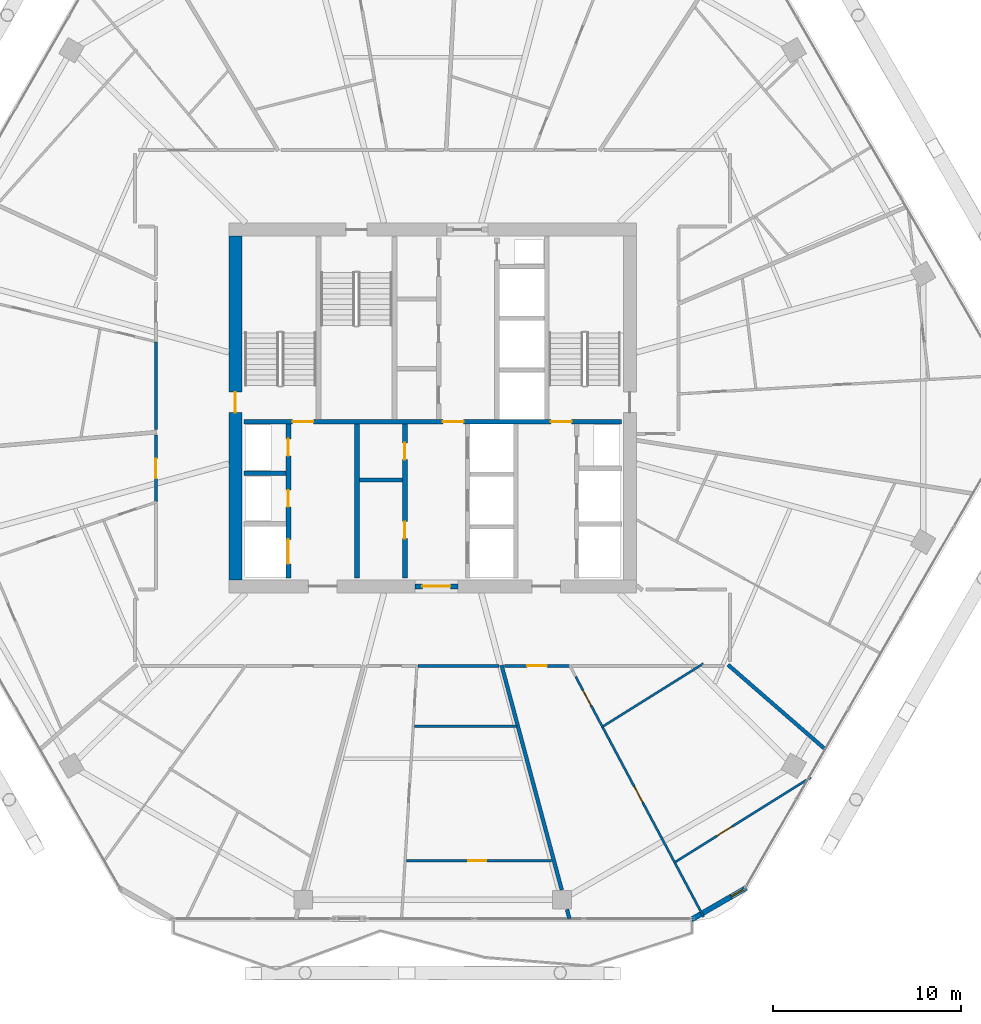
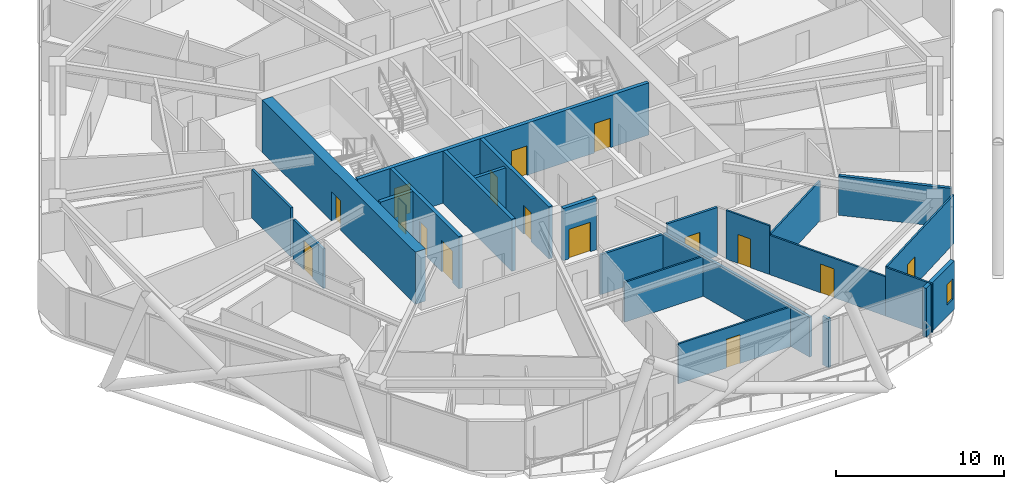
# One storey, part 22 of 29: 23 walls, 16 doors, 1 window, 17 openings.
"""IFC4 building model written with IfcOpenShell, lengths in metres."""

from ifc_helpers import new_model, si_unit, direction, frame, frame_2d, origin, place, context, subcontext, project, spatial, rectangle, extrude, material, layer, layer_set, type_object, element, fill, save


model = new_model("IFC4")

# Units and contexts
model_context = context("Model", 3, precision=1e-05, world=origin(), true_north=direction((0.0, 1.0)))
body_context = subcontext(model_context, "Body", "Model", "MODEL_VIEW")
ifc_project = project(units=[si_unit("LENGTHUNIT", "METRE"), si_unit("AREAUNIT", "SQUARE_METRE"), si_unit("VOLUMEUNIT", "CUBIC_METRE"), si_unit("PLANEANGLEUNIT", "RADIAN"), si_unit("MASSUNIT", "GRAM", prefix="KILO")], contexts=[model_context])

# Site, building, storey
site_placement = place(None, origin())
site = spatial("IfcSite", under=ifc_project, at=site_placement, CompositionType="ELEMENT")
building_placement = place(site_placement, origin())
building = spatial("IfcBuilding", under=site, at=building_placement, Name="Zuhravey Tower", CompositionType="ELEMENT")
storey_placement = place(building_placement, frame((0.0, 0.0, 161.800048828125)))
storey = spatial("IfcBuildingStorey", under=building, at=storey_placement, Name="L40", CompositionType="ELEMENT", Elevation=161.800048828125)

# Wall, opening, door
ifc_material_1 = material(Name="Concrete C60/75", Category="concrete")
ifc_layer_1 = layer(ifc_material_1, 0.699951171875)
ifc_layer_set_1 = layer_set([ifc_layer_1], Name="Concrete C60/75")
wall_type_1 = type_object("IfcWallType", Name="Core Shear Wall 700", PredefinedType="SHEAR", material=ifc_layer_set_1)
wall_1_placement = place(storey_placement, frame((25.5, 22.85009765625, 0.0), z_axis=(0.0, 0.0, 1.0), x_axis=(0.0, 1.0, 0.0)))
wall_1 = element("IfcWall", 1, at=wall_1_placement, inside=storey, type_object=wall_type_1, Name="L40 West Core Shear Wall CW70", PredefinedType="SHEAR", context=body_context, shape_type="SweptSolid", body=[
    extrude(rectangle(XDim=18.2998046875, YDim=0.699951171875, at=frame_2d((9.14990234375, 0.0))), origin(), (0.0, 0.0, 1.0), 3.800048828125),
])
opening_1_placement = place(wall_1_placement, frame((8.89990234375, 0.0, 0.0)))
opening_1 = element("IfcOpeningElement", 2, at=opening_1_placement, cuts=wall_1, Name="Opening STD1", PredefinedType="OPENING", context=body_context, shape_type="SweptSolid", body=[
    extrude(rectangle(XDim=1.10009765625, YDim=2.14990234375, at=frame_2d((0.550048828125, 1.074951171875))), frame((0.0, 0.362060546875, 0.0), z_axis=(0.0, -1.0, 0.0), x_axis=(1.0, 0.0, 0.0)), (0.0, 0.0, 1.0), 0.723876953125),
])
ifc_material_2 = material(Name="Galvanised fire-rated steel leaf", Category="steel")
door_type_1 = type_object("IfcDoorType", Name="Protected Stair Fire Door 1100x2150", OperationType="NOTDEFINED", PredefinedType="USERDEFINED", material=ifc_material_2)
door_1_placement = place(opening_1_placement, frame((1.10009765625, 0.0, 0.0), z_axis=(0.0, 0.0, 1.0), x_axis=(-1.0, 0.0, 0.0)))
door_1 = element("IfcDoor", 3, at=door_1_placement, inside=storey, type_object=door_type_1, Name="L40 Stair ST1 Door", ObjectType="EXITDOOR", OperationType="SINGLE_SWING_RIGHT", OverallHeight=2.14990234375, OverallWidth=1.10009765625, PredefinedType="USERDEFINED", context=body_context, shape_type="SweptSolid", body=[
    extrude(rectangle(XDim=1.10009765625, YDim=2.14990234375, at=frame_2d((0.550048828125, 1.074951171875))), frame((0.0, 0.02490234375, 0.0), z_axis=(0.0, -1.0, 0.0), x_axis=(1.0, 0.0, 0.0)), (0.0, 0.0, 1.0), 0.050048828125),
])
fill(opening_1, door_1)

ifc_material_3 = material(Name="Gypsum fire-rated stud partition")
ifc_layer_2 = layer(ifc_material_3, 0.159912109375)
ifc_layer_set_2 = layer_set([ifc_layer_2], Name="Gypsum fire-rated stud partition")
wall_type_2 = type_object("IfcWallType", Name="Corridor Fire Partition 160", PredefinedType="PARTITIONING", material=ifc_layer_set_2)
wall_2_placement = place(storey_placement, frame((21.27001953125, 30.5615234375, 0.0), z_axis=(0.0, 0.0, 1.0), x_axis=(0.0, -1.0, 0.0)))
wall_2 = element("IfcWall", 4, at=wall_2_placement, inside=storey, type_object=wall_type_2, Name="L40 IW16 Partition 045", PredefinedType="PARTITIONING", context=body_context, shape_type="SweptSolid", body=[
    extrude(rectangle(XDim=3.554931640625, YDim=0.159912109375, at=frame_2d((1.77734375, 0.0))), origin(), (0.0, 0.0, 1.0), 2.89990234375),
])
opening_2_placement = place(wall_2_placement, frame((1.25244140625, 0.0, 0.0)))
opening_2 = element("IfcOpeningElement", 5, at=opening_2_placement, cuts=wall_2, Name="Opening APD1", PredefinedType="OPENING", context=body_context, shape_type="SweptSolid", body=[
    extrude(rectangle(XDim=1.050048828125, YDim=2.14990234375, at=frame_2d((0.52490234375, 1.074951171875))), frame((0.0, 0.092041015625, 0.0), z_axis=(0.0, -1.0, 0.0), x_axis=(1.0, 0.0, 0.0)), (0.0, 0.0, 1.0), 0.183837890625),
])
ifc_material_4 = material(Name="Solid-core oak fire-rated leaf")
door_type_2 = type_object("IfcDoorType", Name="Apartment Entrance Fire Door 1050x2150", OperationType="NOTDEFINED", PredefinedType="DOOR", material=ifc_material_4)
door_2_placement = place(opening_2_placement, frame((1.050048828125, 0.0, 0.0), z_axis=(0.0, 0.0, 1.0), x_axis=(-1.0, 0.0, 0.0)))
door_2 = element("IfcDoor", 6, at=door_2_placement, inside=storey, type_object=door_type_2, Name="L40 Door 045.1", OperationType="SINGLE_SWING_RIGHT", OverallHeight=2.14990234375, OverallWidth=1.050048828125, PredefinedType="DOOR", context=body_context, shape_type="SweptSolid", body=[
    extrude(rectangle(XDim=1.050048828125, YDim=2.14990234375, at=frame_2d((0.52490234375, 1.074951171875))), frame((0.0, 0.02490234375, 0.0), z_axis=(0.0, -1.0, 0.0), x_axis=(1.0, 0.0, 0.0)), (0.0, 0.0, 1.0), 0.050048828125),
])
fill(opening_2, door_2)

wall_3_placement = place(storey_placement, frame((39.828369140625, 18.27001953125, 0.0), z_axis=(0.0, 0.0, 1.0), x_axis=(1.0, 0.0, 0.0)))
wall_3 = element("IfcWall", 7, at=wall_3_placement, inside=storey, type_object=wall_type_2, Name="L40 IW16 Partition 058", PredefinedType="PARTITIONING", context=body_context, shape_type="SweptSolid", body=[
    extrude(rectangle(XDim=3.461669921875, YDim=0.159912109375, at=frame_2d((1.73095703125, 0.0))), origin(), (0.0, 0.0, 1.0), 3.550048828125),
])
opening_3_placement = place(wall_3_placement, frame((1.205810546875, 0.0, 0.0)))
opening_3 = element("IfcOpeningElement", 8, at=opening_3_placement, cuts=wall_3, Name="Opening APD1", PredefinedType="OPENING", context=body_context, shape_type="SweptSolid", body=[
    extrude(rectangle(XDim=1.050048828125, YDim=2.14990234375, at=frame_2d((0.52490234375, 1.074951171875))), frame((0.0, 0.092041015625, 0.0), z_axis=(0.0, -1.0, 0.0), x_axis=(1.0, 0.0, 0.0)), (0.0, 0.0, 1.0), 0.183837890625),
])
door_3_placement = place(opening_3_placement, frame((1.050048828125, 0.0, 0.0), z_axis=(0.0, 0.0, 1.0), x_axis=(-1.0, 0.0, 0.0)))
door_3 = element("IfcDoor", 9, at=door_3_placement, inside=storey, type_object=door_type_2, Name="L40 Door 058.1", OperationType="SINGLE_SWING_LEFT", OverallHeight=2.14990234375, OverallWidth=1.050048828125, PredefinedType="DOOR", context=body_context, shape_type="SweptSolid", body=[
    extrude(rectangle(XDim=1.050048828125, YDim=2.14990234375, at=frame_2d((0.52490234375, 1.074951171875))), frame((0.0, 0.02490234375, 0.0), z_axis=(0.0, -1.0, 0.0), x_axis=(1.0, 0.0, 0.0)), (0.0, 0.0, 1.0), 0.050048828125),
])
fill(opening_3, door_3)

# Walls
wall_4_placement = place(storey_placement, frame((21.27001953125, 35.510498046875, 0.0), z_axis=(0.0, 0.0, 1.0), x_axis=(0.0, -1.0, 0.0)))
element("IfcWall", 10, at=wall_4_placement, inside=storey, type_object=wall_type_2, Name="L40 IW16 Partition 133", PredefinedType="PARTITIONING", context=body_context, shape_type="SweptSolid", body=[
    extrude(rectangle(XDim=4.649658203125, YDim=0.159912109375, at=frame_2d((2.32470703125, 0.0))), origin(), (0.0, 0.0, 1.0), 3.550048828125),
])
wall_5_placement = place(storey_placement, frame((35.233154296875, 18.27001953125, 0.0), z_axis=(0.0, 0.0, 1.0), x_axis=(1.0, 0.0, 0.0)))
element("IfcWall", 11, at=wall_5_placement, inside=storey, type_object=wall_type_2, Name="L40 IW16 Partition 138", PredefinedType="PARTITIONING", context=body_context, shape_type="SweptSolid", body=[
    extrude(rectangle(XDim=4.297119140625, YDim=0.159912109375, at=frame_2d((2.1484375, 0.0))), origin(), (0.0, 0.0, 1.0), 2.89990234375),
])

# Wall, opening, window
ifc_material_5 = material(Name="Precast concrete C40/50", Category="concrete")
ifc_layer_3 = layer(ifc_material_5, 0.280029296875)
ifc_layer_set_3 = layer_set([ifc_layer_3], Name="Precast concrete C40/50")
wall_type_3 = type_object("IfcWallType", Name="Crown Architectural Wall 280", PredefinedType="SOLIDWALL", material=ifc_layer_set_3)
wall_6_placement = place(storey_placement, frame((52.693115234375, 6.451904296875, 0.0), z_axis=(0.0, 0.0, 1.0), x_axis=(-0.866020068361, -0.500009241111, 0.0)))
wall_6 = element("IfcWall", 12, at=wall_6_placement, inside=storey, type_object=wall_type_3, Name="L40 Rounded Corner Closure Wall EW28-02", PredefinedType="SOLIDWALL", context=body_context, shape_type="SweptSolid", body=[
    extrude(rectangle(XDim=3.365234375, YDim=0.280029296875, at=frame_2d((1.6826171875, 0.0))), origin(), (0.0, 0.0, 1.0), 3.550048828125),
])
opening_4_placement = place(wall_6_placement, frame((0.17919921875, 0.0, 0.85009765625)))
opening_4 = element("IfcOpeningElement", 13, at=opening_4_placement, cuts=wall_6, Name="Opening WN5", PredefinedType="OPENING", context=body_context, shape_type="SweptSolid", body=[
    extrude(rectangle(XDim=0.75, YDim=1.5, at=frame_2d((0.375, 0.75))), frame((0.0, 0.152099609375, 0.0), z_axis=(0.0, -1.0, 0.0), x_axis=(1.0, 0.0, 0.0)), (0.0, 0.0, 1.0), 0.303955078125),
])
ifc_material_6 = material(Name="Thermally broken aluminium and triple low-E glass", Category="aluminium")
window_type = type_object("IfcWindowType", Name="Residential Corner Casement Window 750x1500", PartitioningType="SINGLE_PANEL", PredefinedType="WINDOW", material=ifc_material_6)
window_placement = place(opening_4_placement, origin())
window = element("IfcWindow", 14, at=window_placement, inside=storey, type_object=window_type, Name="L40 Corner Casement Window WN5-02.1", OverallHeight=1.5, OverallWidth=0.75, PartitioningType="SINGLE_PANEL", PredefinedType="WINDOW", context=body_context, shape_type="SweptSolid", body=[
    extrude(rectangle(XDim=0.75, YDim=1.5, at=frame_2d((0.375, 0.75))), frame((0.0, 0.030029296875, 0.0), z_axis=(0.0, -1.0, 0.0), x_axis=(1.0, 0.0, 0.0)), (0.0, 0.0, 1.0), 0.06005859375),
])
fill(opening_4, window)

# Wall, opening, door
ifc_material_7 = material(Name="Concrete C50/60", Category="concrete")
ifc_layer_4 = layer(ifc_material_7, 0.25)
ifc_layer_set_4 = layer_set([ifc_layer_4], Name="Concrete C50/60")
wall_type_4 = type_object("IfcWallType", Name="Firefighting Shaft & Stair Wall 250", PredefinedType="SOLIDWALL", material=ifc_layer_set_4)
wall_7_placement = place(storey_placement, frame((35.06005859375, 22.5, 0.0), z_axis=(0.0, 0.0, 1.0), x_axis=(1.0, 0.0, 0.0)))
wall_7 = element("IfcWall", 15, at=wall_7_placement, inside=storey, type_object=wall_type_4, Name="L40 FW25 Shaft Wall 001", PredefinedType="SOLIDWALL", context=body_context, shape_type="SweptSolid", body=[
    extrude(rectangle(XDim=2.280029296875, YDim=0.25, at=frame_2d((1.14013671875, 0.0))), origin(), (0.0, 0.0, 1.0), 3.800048828125),
])
opening_5_placement = place(wall_7_placement, frame((0.389892578125, 0.0, 0.0)))
opening_5 = element("IfcOpeningElement", 16, at=opening_5_placement, cuts=wall_7, Name="Opening FFD1", PredefinedType="OPENING", context=body_context, shape_type="SweptSolid", body=[
    extrude(rectangle(XDim=1.5, YDim=2.14990234375, at=frame_2d((0.75, 1.074951171875))), frame((0.0, 0.136962890625, 0.0), z_axis=(0.0, -1.0, 0.0), x_axis=(1.0, 0.0, 0.0)), (0.0, 0.0, 1.0), 0.27392578125),
])
door_type_3 = type_object("IfcDoorType", Name="Firefighting Lobby Double Door 1500x2150", OperationType="DOUBLE_DOOR_SINGLE_SWING", PredefinedType="DOOR", material=ifc_material_2)
door_4_placement = place(opening_5_placement, frame((1.5, 0.0, 0.0), z_axis=(0.0, 0.0, 1.0), x_axis=(-1.0, 0.0, 0.0)))
door_4 = element("IfcDoor", 17, at=door_4_placement, inside=storey, type_object=door_type_3, Name="L40 South Lift Lobby Exit Door", OperationType="DOUBLE_DOOR_SINGLE_SWING", OverallHeight=2.14990234375, OverallWidth=1.5, PredefinedType="DOOR", context=body_context, shape_type="SweptSolid", body=[
    extrude(rectangle(XDim=1.5, YDim=2.14990234375, at=frame_2d((0.75, 1.074951171875))), frame((0.0, 0.02490234375, 0.0), z_axis=(0.0, -1.0, 0.0), x_axis=(1.0, 0.0, 0.0)), (0.0, 0.0, 1.0), 0.050048828125),
])
fill(opening_5, door_4)

# Wall, openings, doors
wall_8_placement = place(storey_placement, frame((25.949951171875, 31.27490234375, 0.0), z_axis=(0.0, 0.0, 1.0), x_axis=(1.0, 0.0, 0.0)))
wall_8 = element("IfcWall", 18, at=wall_8_placement, inside=storey, type_object=wall_type_4, Name="L40 FW25 Shaft Wall 003", PredefinedType="SOLIDWALL", context=body_context, shape_type="SweptSolid", body=[
    extrude(rectangle(XDim=20.10009765625, YDim=0.25, at=frame_2d((10.050048828125, 0.0))), origin(), (0.0, 0.0, 1.0), 3.800048828125),
])
opening_6_placement = place(wall_8_placement, frame((2.60009765625, 0.0, 0.0)))
opening_6 = element("IfcOpeningElement", 19, at=opening_6_placement, cuts=wall_8, Name="Opening STD1", PredefinedType="OPENING", context=body_context, shape_type="SweptSolid", body=[
    extrude(rectangle(XDim=1.10009765625, YDim=2.14990234375, at=frame_2d((0.550048828125, 1.074951171875))), frame((0.0, 0.136962890625, 0.0), z_axis=(0.0, -1.0, 0.0), x_axis=(1.0, 0.0, 0.0)), (0.0, 0.0, 1.0), 0.27392578125),
])
opening_7_placement = place(wall_8_placement, frame((10.60009765625, 0.0, 0.0)))
opening_7 = element("IfcOpeningElement", 20, at=opening_7_placement, cuts=wall_8, Name="Opening STD1", PredefinedType="OPENING", context=body_context, shape_type="SweptSolid", body=[
    extrude(rectangle(XDim=1.10009765625, YDim=2.14990234375, at=frame_2d((0.550048828125, 1.074951171875))), frame((0.0, 0.136962890625, 0.0), z_axis=(0.0, -1.0, 0.0), x_axis=(1.0, 0.0, 0.0)), (0.0, 0.0, 1.0), 0.27392578125),
])
opening_8_placement = place(wall_8_placement, frame((16.35009765625, 0.0, 0.0)))
opening_8 = element("IfcOpeningElement", 21, at=opening_8_placement, cuts=wall_8, Name="Opening STD1", PredefinedType="OPENING", context=body_context, shape_type="SweptSolid", body=[
    extrude(rectangle(XDim=1.10009765625, YDim=2.14990234375, at=frame_2d((0.550048828125, 1.074951171875))), frame((0.0, 0.136962890625, 0.0), z_axis=(0.0, -1.0, 0.0), x_axis=(1.0, 0.0, 0.0)), (0.0, 0.0, 1.0), 0.27392578125),
])
door_5_placement = place(opening_6_placement, origin())
door_5 = element("IfcDoor", 22, at=door_5_placement, inside=storey, type_object=door_type_1, Name="L40 FFL-W to ST1 Door", ObjectType="EXITDOOR", OperationType="SINGLE_SWING_LEFT", OverallHeight=2.14990234375, OverallWidth=1.10009765625, PredefinedType="USERDEFINED", context=body_context, shape_type="SweptSolid", body=[
    extrude(rectangle(XDim=1.10009765625, YDim=2.14990234375, at=frame_2d((0.550048828125, 1.074951171875))), frame((0.0, 0.02490234375, 0.0), z_axis=(0.0, -1.0, 0.0), x_axis=(1.0, 0.0, 0.0)), (0.0, 0.0, 1.0), 0.050048828125),
])
fill(opening_6, door_5)
door_6_placement = place(opening_7_placement, origin())
door_6 = element("IfcDoor", 23, at=door_6_placement, inside=storey, type_object=door_type_1, Name="L40 Core Lobby Link Door", ObjectType="EXITDOOR", OperationType="SINGLE_SWING_RIGHT", OverallHeight=2.14990234375, OverallWidth=1.10009765625, PredefinedType="USERDEFINED", context=body_context, shape_type="SweptSolid", body=[
    extrude(rectangle(XDim=1.10009765625, YDim=2.14990234375, at=frame_2d((0.550048828125, 1.074951171875))), frame((0.0, 0.02490234375, 0.0), z_axis=(0.0, -1.0, 0.0), x_axis=(1.0, 0.0, 0.0)), (0.0, 0.0, 1.0), 0.050048828125),
])
fill(opening_7, door_6)
door_7_placement = place(opening_8_placement, origin())
door_7 = element("IfcDoor", 24, at=door_7_placement, inside=storey, type_object=door_type_1, Name="L40 FFL-E to ST2 Door", ObjectType="EXITDOOR", OperationType="SINGLE_SWING_LEFT", OverallHeight=2.14990234375, OverallWidth=1.10009765625, PredefinedType="USERDEFINED", context=body_context, shape_type="SweptSolid", body=[
    extrude(rectangle(XDim=1.10009765625, YDim=2.14990234375, at=frame_2d((0.550048828125, 1.074951171875))), frame((0.0, 0.02490234375, 0.0), z_axis=(0.0, -1.0, 0.0), x_axis=(1.0, 0.0, 0.0)), (0.0, 0.0, 1.0), 0.050048828125),
])
fill(opening_8, door_7)

# Wall
wall_9_placement = place(storey_placement, frame((25.949951171875, 28.52490234375, 0.0), z_axis=(0.0, 0.0, 1.0), x_axis=(1.0, 0.0, 0.0)))
element("IfcWall", 25, at=wall_9_placement, inside=storey, type_object=wall_type_4, Name="L40 FW25 Shaft Wall 010", PredefinedType="SOLIDWALL", context=body_context, shape_type="SweptSolid", body=[
    extrude(rectangle(XDim=2.25, YDim=0.25, at=frame_2d((1.125, 0.0))), origin(), (0.0, 0.0, 1.0), 3.800048828125),
])

# Wall, openings, doors
wall_10_placement = place(storey_placement, frame((28.324951171875, 22.949951171875, 0.0), z_axis=(0.0, 0.0, 1.0), x_axis=(0.0, 1.0, 0.0)))
wall_10 = element("IfcWall", 26, at=wall_10_placement, inside=storey, type_object=wall_type_4, Name="L40 FW25 Shaft Wall 011", PredefinedType="SOLIDWALL", context=body_context, shape_type="SweptSolid", body=[
    extrude(rectangle(XDim=8.199951171875, YDim=0.25, at=frame_2d((4.10009765625, 0.0))), origin(), (0.0, 0.0, 1.0), 3.800048828125),
])
opening_9_placement = place(wall_10_placement, frame((0.75, 0.0, 0.0)))
opening_9 = element("IfcOpeningElement", 27, at=opening_9_placement, cuts=wall_10, Name="Opening LD2", PredefinedType="OPENING", context=body_context, shape_type="SweptSolid", body=[
    extrude(rectangle(XDim=1.300048828125, YDim=2.300048828125, at=frame_2d((0.64990234375, 1.14990234375))), frame((0.0, 0.136962890625, 0.0), z_axis=(0.0, -1.0, 0.0), x_axis=(1.0, 0.0, 0.0)), (0.0, 0.0, 1.0), 0.27392578125),
])
opening_10_placement = place(wall_10_placement, frame((3.780029296875, 0.0, 0.0)))
opening_10 = element("IfcOpeningElement", 28, at=opening_10_placement, cuts=wall_10, Name="Opening RSD1", PredefinedType="OPENING", context=body_context, shape_type="SweptSolid", body=[
    extrude(rectangle(XDim=0.89990234375, YDim=2.10009765625, at=frame_2d((0.449951171875, 1.050048828125))), frame((0.0, 0.136962890625, 0.0), z_axis=(0.0, -1.0, 0.0), x_axis=(1.0, 0.0, 0.0)), (0.0, 0.0, 1.0), 0.27392578125),
])
opening_11_placement = place(wall_10_placement, frame((6.5, 0.0, 0.0)))
opening_11 = element("IfcOpeningElement", 29, at=opening_11_placement, cuts=wall_10, Name="Opening RSD1", PredefinedType="OPENING", context=body_context, shape_type="SweptSolid", body=[
    extrude(rectangle(XDim=0.89990234375, YDim=2.10009765625, at=frame_2d((0.449951171875, 1.050048828125))), frame((0.0, 0.136962890625, 0.0), z_axis=(0.0, -1.0, 0.0), x_axis=(1.0, 0.0, 0.0)), (0.0, 0.0, 1.0), 0.27392578125),
])
ifc_material_8 = material(Name="Brushed stainless steel", Category="steel")
door_type_4 = type_object("IfcDoorType", Name="Freight & Stretcher Lift Sliding Door 1300x2300", OperationType="DOUBLE_DOOR_SLIDING", PredefinedType="DOOR", material=ifc_material_8)
door_8_placement = place(opening_9_placement, frame((1.300048828125, 0.0, 0.0), z_axis=(0.0, 0.0, 1.0), x_axis=(-1.0, 0.0, 0.0)))
door_8 = element("IfcDoor", 30, at=door_8_placement, inside=storey, type_object=door_type_4, Name="L40 Lift FF1 Landing Door", OperationType="DOUBLE_DOOR_SLIDING", OverallHeight=2.300048828125, OverallWidth=1.300048828125, PredefinedType="DOOR", context=body_context, shape_type="SweptSolid", body=[
    extrude(rectangle(XDim=1.300048828125, YDim=2.300048828125, at=frame_2d((0.64990234375, 1.14990234375))), frame((0.0, 0.02490234375, 0.0), z_axis=(0.0, -1.0, 0.0), x_axis=(1.0, 0.0, 0.0)), (0.0, 0.0, 1.0), 0.050048828125),
])
fill(opening_9, door_8)
ifc_material_9 = material(Name="Galvanised fire-rated steel access leaf", Category="steel")
door_type_5 = type_object("IfcDoorType", Name="Riser & Shaft Access Fire Door 900x2100", OperationType="NOTDEFINED", PredefinedType="DOOR", material=ifc_material_9)
door_9_placement = place(opening_10_placement, frame((0.89990234375, 0.0, 0.0), z_axis=(0.0, 0.0, 1.0), x_axis=(-1.0, 0.0, 0.0)))
door_9 = element("IfcDoor", 31, at=door_9_placement, inside=storey, type_object=door_type_5, Name="L40 Electrical Riser Door", OperationType="SINGLE_SWING_RIGHT", OverallHeight=2.10009765625, OverallWidth=0.89990234375, PredefinedType="DOOR", context=body_context, shape_type="SweptSolid", body=[
    extrude(rectangle(XDim=0.89990234375, YDim=2.10009765625, at=frame_2d((0.449951171875, 1.050048828125))), frame((0.0, 0.02490234375, 0.0), z_axis=(0.0, -1.0, 0.0), x_axis=(1.0, 0.0, 0.0)), (0.0, 0.0, 1.0), 0.050048828125),
])
fill(opening_10, door_9)
door_10_placement = place(opening_11_placement, frame((0.89990234375, 0.0, 0.0), z_axis=(0.0, 0.0, 1.0), x_axis=(-1.0, 0.0, 0.0)))
door_10 = element("IfcDoor", 32, at=door_10_placement, inside=storey, type_object=door_type_5, Name="L40 Smoke Shaft Access Door", OperationType="SINGLE_SWING_LEFT", OverallHeight=2.10009765625, OverallWidth=0.89990234375, PredefinedType="DOOR", context=body_context, shape_type="SweptSolid", body=[
    extrude(rectangle(XDim=0.89990234375, YDim=2.10009765625, at=frame_2d((0.449951171875, 1.050048828125))), frame((0.0, 0.02490234375, 0.0), z_axis=(0.0, -1.0, 0.0), x_axis=(1.0, 0.0, 0.0)), (0.0, 0.0, 1.0), 0.050048828125),
])
fill(opening_11, door_10)

# Wall
wall_11_placement = place(storey_placement, frame((31.97509765625, 22.949951171875, 0.0), z_axis=(0.0, 0.0, 1.0), x_axis=(0.0, 1.0, 0.0)))
element("IfcWall", 33, at=wall_11_placement, inside=storey, type_object=wall_type_4, Name="L40 FW25 Shaft Wall 012", PredefinedType="SOLIDWALL", context=body_context, shape_type="SweptSolid", body=[
    extrude(rectangle(XDim=8.199951171875, YDim=0.25, at=frame_2d((4.10009765625, 0.0))), origin(), (0.0, 0.0, 1.0), 3.800048828125),
])

# Wall, openings, doors
wall_12_placement = place(storey_placement, frame((34.52490234375, 22.949951171875, 0.0), z_axis=(0.0, 0.0, 1.0), x_axis=(0.0, 1.0, 0.0)))
wall_12 = element("IfcWall", 34, at=wall_12_placement, inside=storey, type_object=wall_type_4, Name="L40 FW25 Shaft Wall 013", PredefinedType="SOLIDWALL", context=body_context, shape_type="SweptSolid", body=[
    extrude(rectangle(XDim=8.199951171875, YDim=0.25, at=frame_2d((4.10009765625, 0.0))), origin(), (0.0, 0.0, 1.0), 3.800048828125),
])
opening_12_placement = place(wall_12_placement, frame((2.10009765625, 0.0, 0.0)))
opening_12 = element("IfcOpeningElement", 35, at=opening_12_placement, cuts=wall_12, Name="Opening RSD1", PredefinedType="OPENING", context=body_context, shape_type="SweptSolid", body=[
    extrude(rectangle(XDim=0.89990234375, YDim=2.10009765625, at=frame_2d((0.449951171875, 1.050048828125))), frame((0.0, 0.136962890625, 0.0), z_axis=(0.0, -1.0, 0.0), x_axis=(1.0, 0.0, 0.0)), (0.0, 0.0, 1.0), 0.27392578125),
])
opening_13_placement = place(wall_12_placement, frame((6.300048828125, 0.0, 0.0)))
opening_13 = element("IfcOpeningElement", 36, at=opening_13_placement, cuts=wall_12, Name="Opening RSD1", PredefinedType="OPENING", context=body_context, shape_type="SweptSolid", body=[
    extrude(rectangle(XDim=0.89990234375, YDim=2.10009765625, at=frame_2d((0.449951171875, 1.050048828125))), frame((0.0, 0.136962890625, 0.0), z_axis=(0.0, -1.0, 0.0), x_axis=(1.0, 0.0, 0.0)), (0.0, 0.0, 1.0), 0.27392578125),
])
door_11_placement = place(opening_12_placement, origin())
door_11 = element("IfcDoor", 37, at=door_11_placement, inside=storey, type_object=door_type_5, Name="L40 Housekeeping Store Door", OperationType="SINGLE_SWING_RIGHT", OverallHeight=2.10009765625, OverallWidth=0.89990234375, PredefinedType="DOOR", context=body_context, shape_type="SweptSolid", body=[
    extrude(rectangle(XDim=0.89990234375, YDim=2.10009765625, at=frame_2d((0.449951171875, 1.050048828125))), frame((0.0, 0.02490234375, 0.0), z_axis=(0.0, -1.0, 0.0), x_axis=(1.0, 0.0, 0.0)), (0.0, 0.0, 1.0), 0.050048828125),
])
fill(opening_12, door_11)
door_12_placement = place(opening_13_placement, origin())
door_12 = element("IfcDoor", 38, at=door_12_placement, inside=storey, type_object=door_type_5, Name="L40 Comms Closet Door", OperationType="SINGLE_SWING_LEFT", OverallHeight=2.10009765625, OverallWidth=0.89990234375, PredefinedType="DOOR", context=body_context, shape_type="SweptSolid", body=[
    extrude(rectangle(XDim=0.89990234375, YDim=2.10009765625, at=frame_2d((0.449951171875, 1.050048828125))), frame((0.0, 0.02490234375, 0.0), z_axis=(0.0, -1.0, 0.0), x_axis=(1.0, 0.0, 0.0)), (0.0, 0.0, 1.0), 0.050048828125),
])
fill(opening_13, door_12)

# Walls
ifc_material_10 = material(Name="Gypsum double-stud party assembly")
ifc_layer_5 = layer(ifc_material_10, 0.199951171875)
ifc_layer_set_5 = layer_set([ifc_layer_5], Name="Gypsum double-stud party assembly")
wall_type_5 = type_object("IfcWallType", Name="Inter-Tenancy Party Wall 200", PredefinedType="PARTITIONING", material=ifc_layer_set_5)
wall_13_placement = place(storey_placement, frame((39.668212890625, 18.31005859375, 0.0), z_axis=(0.0, 0.0, 1.0), x_axis=(0.258823121138, -0.96592473411, 0.0)))
element("IfcWall", 39, at=wall_13_placement, inside=storey, type_object=wall_type_5, Name="L40 IW20 Partition 109", PredefinedType="PARTITIONING", context=body_context, shape_type="SweptSolid", body=[
    extrude(rectangle(XDim=12.38525390625, YDim=0.199951171875, at=frame_2d((6.192626953125, 0.0))), origin(), (0.0, 0.0, 1.0), 2.89990234375),
])
wall_14_placement = place(storey_placement, frame((43.15234375, 5.306884765625, 0.0), z_axis=(0.0, 0.0, 1.0), x_axis=(0.258920510492, -0.965898633008, 0.0)))
element("IfcWall", 40, at=wall_14_placement, inside=storey, type_object=wall_type_5, Name="L40 IW20 Partition 110", PredefinedType="PARTITIONING", context=body_context, shape_type="SweptSolid", body=[
    extrude(rectangle(XDim=0.50732421875, YDim=0.199951171875, at=frame_2d((0.253662109375, 0.0))), origin(), (0.0, 0.0, 1.0), 3.550048828125),
])
wall_15_placement = place(storey_placement, frame((51.72412109375, 18.331298828125, 0.0), z_axis=(0.0, 0.0, 1.0), x_axis=(0.754712052901, -0.656056184489, 0.0)))
element("IfcWall", 41, at=wall_15_placement, inside=storey, type_object=wall_type_5, Name="L40 IW20 Partition 115", PredefinedType="PARTITIONING", context=body_context, shape_type="SweptSolid", body=[
    extrude(rectangle(XDim=6.857421875, YDim=0.199951171875, at=frame_2d((3.4287109375, 0.0))), origin(), (0.0, 0.0, 1.0), 2.869873046875),
])
ifc_material_11 = material(Name="Gypsum acoustic stud assembly")
ifc_layer_6 = layer(ifc_material_11, 0.219970703125)
ifc_layer_set_6 = layer_set([ifc_layer_6], Name="Gypsum acoustic stud assembly")
wall_type_6 = type_object("IfcWallType", Name="School Acoustic Compartment Wall 220", PredefinedType="PARTITIONING", material=ifc_layer_set_6)
wall_16_placement = place(storey_placement, frame((32.10791015625, 28.175048828125, 0.0), z_axis=(0.0, 0.0, 1.0), x_axis=(1.0, 0.0, 0.0)))
element("IfcWall", 42, at=wall_16_placement, inside=storey, type_object=wall_type_6, Name="L40 IW22 Partition 072", PredefinedType="PARTITIONING", context=body_context, shape_type="SweptSolid", body=[
    extrude(rectangle(XDim=2.2841796875, YDim=0.219970703125, at=frame_2d((1.14208984375, 0.0))), origin(), (0.0, 0.0, 1.0), 3.550048828125),
])

# Wall, opening, door
ifc_material_12 = material(Name="Gypsum metal-stud partition")
ifc_layer_7 = layer(ifc_material_12, 0.1201171875)
ifc_layer_set_7 = layer_set([ifc_layer_7], Name="Gypsum metal-stud partition")
wall_type_7 = type_object("IfcWallType", Name="Unit Internal Partition 120", PredefinedType="PARTITIONING", material=ifc_layer_set_7)
wall_17_placement = place(storey_placement, frame((34.602783203125, 7.904296875, 0.0), z_axis=(0.0, 0.0, 1.0), x_axis=(1.0, 0.0, 0.0)))
wall_17 = element("IfcWall", 43, at=wall_17_placement, inside=storey, type_object=wall_type_7, Name="L40 IW12 Partition 053", PredefinedType="PARTITIONING", context=body_context, shape_type="SweptSolid", body=[
    extrude(rectangle(XDim=7.732177734375, YDim=0.1201171875, at=frame_2d((3.8662109375, 0.0))), origin(), (0.0, 0.0, 1.0), 2.89990234375),
])
opening_14_placement = place(wall_17_placement, frame((3.306884765625, 0.0, 0.0)))
opening_14 = element("IfcOpeningElement", 44, at=opening_14_placement, cuts=wall_17, Name="Opening IND1", PredefinedType="OPENING", context=body_context, shape_type="SweptSolid", body=[
    extrude(rectangle(XDim=0.949951171875, YDim=2.10009765625, at=frame_2d((0.47509765625, 1.050048828125))), frame((0.0, 0.072021484375, 0.0), z_axis=(0.0, -1.0, 0.0), x_axis=(1.0, 0.0, 0.0)), (0.0, 0.0, 1.0), 0.14404296875),
])
ifc_material_13 = material(Name="Painted engineered timber leaf", Category="wood")
door_type_6 = type_object("IfcDoorType", Name="Internal Room & Bedroom Door 950x2100", OperationType="NOTDEFINED", PredefinedType="DOOR", material=ifc_material_13)
door_13_placement = place(opening_14_placement, frame((0.949951171875, 0.0, 0.0), z_axis=(0.0, 0.0, 1.0), x_axis=(-1.0, 0.0, 0.0)))
door_13 = element("IfcDoor", 45, at=door_13_placement, inside=storey, type_object=door_type_6, Name="Apartment L40-08 Kitchen Door", OperationType="SINGLE_SWING_RIGHT", OverallHeight=2.10009765625, OverallWidth=0.949951171875, PredefinedType="DOOR", context=body_context, shape_type="SweptSolid", body=[
    extrude(rectangle(XDim=0.949951171875, YDim=2.10009765625, at=frame_2d((0.47509765625, 1.050048828125))), frame((0.0, 0.02490234375, 0.0), z_axis=(0.0, -1.0, 0.0), x_axis=(1.0, 0.0, 0.0)), (0.0, 0.0, 1.0), 0.050048828125),
])
fill(opening_14, door_13)

wall_18_placement = place(storey_placement, frame((43.6162109375, 17.699951171875, 0.0), z_axis=(0.0, 0.0, 1.0), x_axis=(0.470139063633, -0.882592352588, 0.0)))
wall_18 = element("IfcWall", 46, at=wall_18_placement, inside=storey, type_object=wall_type_7, Name="L40 IW12 Partition 055", PredefinedType="PARTITIONING", context=body_context, shape_type="SweptSolid", body=[
    extrude(rectangle(XDim=3.047119140625, YDim=0.1201171875, at=frame_2d((1.5234375, 0.0))), origin(), (0.0, 0.0, 1.0), 3.550048828125),
])
opening_15_placement = place(wall_18_placement, frame((0.829833984375, 0.0, 0.0)))
opening_15 = element("IfcOpeningElement", 47, at=opening_15_placement, cuts=wall_18, Name="Opening WCD1", PredefinedType="OPENING", context=body_context, shape_type="SweptSolid", body=[
    extrude(rectangle(XDim=0.89990234375, YDim=2.10009765625, at=frame_2d((0.449951171875, 1.050048828125))), frame((0.0, 0.072021484375, 0.0), z_axis=(0.0, -1.0, 0.0), x_axis=(1.0, 0.0, 0.0)), (0.0, 0.0, 1.0), 0.14404296875),
])
ifc_material_14 = material(Name="Moisture-resistant timber leaf", Category="wood")
door_type_7 = type_object("IfcDoorType", Name="Bathroom & WC Internal Door 900x2100", OperationType="NOTDEFINED", PredefinedType="DOOR", material=ifc_material_14)
door_14_placement = place(opening_15_placement, origin())
door_14 = element("IfcDoor", 48, at=door_14_placement, inside=storey, type_object=door_type_7, Name="Apartment L40-09 Bathroom Door", OperationType="SINGLE_SWING_RIGHT", OverallHeight=2.10009765625, OverallWidth=0.89990234375, PredefinedType="DOOR", context=body_context, shape_type="SweptSolid", body=[
    extrude(rectangle(XDim=0.89990234375, YDim=2.10009765625, at=frame_2d((0.449951171875, 1.050048828125))), frame((0.0, 0.02490234375, 0.0), z_axis=(0.0, -1.0, 0.0), x_axis=(1.0, 0.0, 0.0)), (0.0, 0.0, 1.0), 0.050048828125),
])
fill(opening_15, door_14)

wall_19_placement = place(storey_placement, frame((45.048828125, 15.010498046875, 0.0), z_axis=(0.0, 0.0, 1.0), x_axis=(0.470090976648, -0.882617965869, 0.0)))
wall_19 = element("IfcWall", 49, at=wall_19_placement, inside=storey, type_object=wall_type_7, Name="L40 IW12 Partition 056", PredefinedType="PARTITIONING", context=body_context, shape_type="SweptSolid", body=[
    extrude(rectangle(XDim=8.181396484375, YDim=0.1201171875, at=frame_2d((4.0908203125, 0.0))), origin(), (0.0, 0.0, 1.0), 2.869873046875),
])
opening_16_placement = place(wall_19_placement, frame((3.590576171875, 0.0, 0.0)))
opening_16 = element("IfcOpeningElement", 50, at=opening_16_placement, cuts=wall_19, Name="Opening IND1", PredefinedType="OPENING", context=body_context, shape_type="SweptSolid", body=[
    extrude(rectangle(XDim=0.949951171875, YDim=2.10009765625, at=frame_2d((0.47509765625, 1.050048828125))), frame((0.0, 0.072021484375, 0.0), z_axis=(0.0, -1.0, 0.0), x_axis=(1.0, 0.0, 0.0)), (0.0, 0.0, 1.0), 0.14404296875),
])
door_15_placement = place(opening_16_placement, origin())
door_15 = element("IfcDoor", 51, at=door_15_placement, inside=storey, type_object=door_type_6, Name="Apartment L40-09 Home Office Door", OperationType="SINGLE_SWING_LEFT", OverallHeight=2.10009765625, OverallWidth=0.949951171875, PredefinedType="DOOR", context=body_context, shape_type="SweptSolid", body=[
    extrude(rectangle(XDim=0.949951171875, YDim=2.10009765625, at=frame_2d((0.47509765625, 1.050048828125))), frame((0.0, 0.02490234375, 0.0), z_axis=(0.0, -1.0, 0.0), x_axis=(1.0, 0.0, 0.0)), (0.0, 0.0, 1.0), 0.050048828125),
])
fill(opening_16, door_15)

wall_20_placement = place(storey_placement, frame((48.94091796875, 7.84765625, 0.0), z_axis=(0.0, 0.0, 1.0), x_axis=(0.848033897141, 0.529941986731, 0.0)))
wall_20 = element("IfcWall", 52, at=wall_20_placement, inside=storey, type_object=wall_type_7, Name="L40 IW12 Partition 057", PredefinedType="PARTITIONING", context=body_context, shape_type="SweptSolid", body=[
    extrude(rectangle(XDim=8.477294921875, YDim=0.1201171875, at=frame_2d((4.23876953125, 0.0))), origin(), (0.0, 0.0, 1.0), 3.550048828125),
])
opening_17_placement = place(wall_20_placement, frame((2.579345703125, 0.0, 0.0)))
opening_17 = element("IfcOpeningElement", 53, at=opening_17_placement, cuts=wall_20, Name="Opening IND1", PredefinedType="OPENING", context=body_context, shape_type="SweptSolid", body=[
    extrude(rectangle(XDim=0.949951171875, YDim=2.10009765625, at=frame_2d((0.47509765625, 1.050048828125))), frame((0.0, 0.072021484375, 0.0), z_axis=(0.0, -1.0, 0.0), x_axis=(1.0, 0.0, 0.0)), (0.0, 0.0, 1.0), 0.14404296875),
])
door_16_placement = place(opening_17_placement, frame((0.949951171875, 0.0, 0.0), z_axis=(0.0, 0.0, 1.0), x_axis=(-1.0, 0.0, 0.0)))
door_16 = element("IfcDoor", 54, at=door_16_placement, inside=storey, type_object=door_type_6, Name="Apartment L40-09 Bedroom 1 Door", OperationType="SINGLE_SWING_RIGHT", OverallHeight=2.10009765625, OverallWidth=0.949951171875, PredefinedType="DOOR", context=body_context, shape_type="SweptSolid", body=[
    extrude(rectangle(XDim=0.949951171875, YDim=2.10009765625, at=frame_2d((0.47509765625, 1.050048828125))), frame((0.0, 0.02490234375, 0.0), z_axis=(0.0, -1.0, 0.0), x_axis=(1.0, 0.0, 0.0)), (0.0, 0.0, 1.0), 0.050048828125),
])
fill(opening_17, door_16)

# Walls
wall_21_placement = place(storey_placement, frame((35.0380859375, 15.061279296875, 0.0), z_axis=(0.0, 0.0, 1.0), x_axis=(1.0, 0.0, 0.0)))
element("IfcWall", 55, at=wall_21_placement, inside=storey, type_object=wall_type_7, Name="L40 IW12 Partition 108", PredefinedType="PARTITIONING", context=body_context, shape_type="SweptSolid", body=[
    extrude(rectangle(XDim=5.44580078125, YDim=0.1201171875, at=frame_2d((2.722900390625, 0.0))), origin(), (0.0, 0.0, 1.0), 2.89990234375),
])
wall_22_placement = place(storey_placement, frame((48.894775390625, 7.78955078125, 0.0), z_axis=(0.0, 0.0, 1.0), x_axis=(0.47009528372, -0.882615671867, 0.0)))
element("IfcWall", 56, at=wall_22_placement, inside=storey, type_object=wall_type_7, Name="L40 IW12 Partition 112", PredefinedType="PARTITIONING", context=body_context, shape_type="SweptSolid", body=[
    extrude(rectangle(XDim=3.26513671875, YDim=0.1201171875, at=frame_2d((1.632568359375, 0.0))), origin(), (0.0, 0.0, 1.0), 3.550048828125),
])
wall_23_placement = place(storey_placement, frame((45.094970703125, 15.068603515625, 0.0), z_axis=(0.0, 0.0, 1.0), x_axis=(0.84804863288, 0.529918405296, 0.0)))
element("IfcWall", 57, at=wall_23_placement, inside=storey, type_object=wall_type_7, Name="L40 IW12 Partition 113", PredefinedType="PARTITIONING", context=body_context, shape_type="SweptSolid", body=[
    extrude(rectangle(XDim=6.267578125, YDim=0.1201171875, at=frame_2d((3.1337890625, 0.0))), origin(), (0.0, 0.0, 1.0), 2.89990234375),
])

save(model, "model.ifc")
